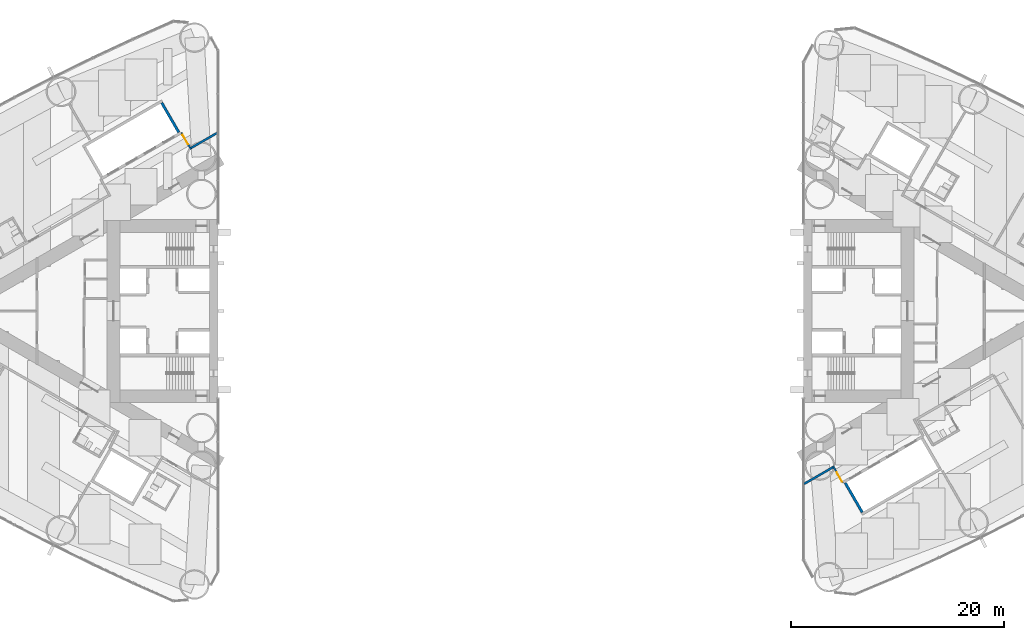
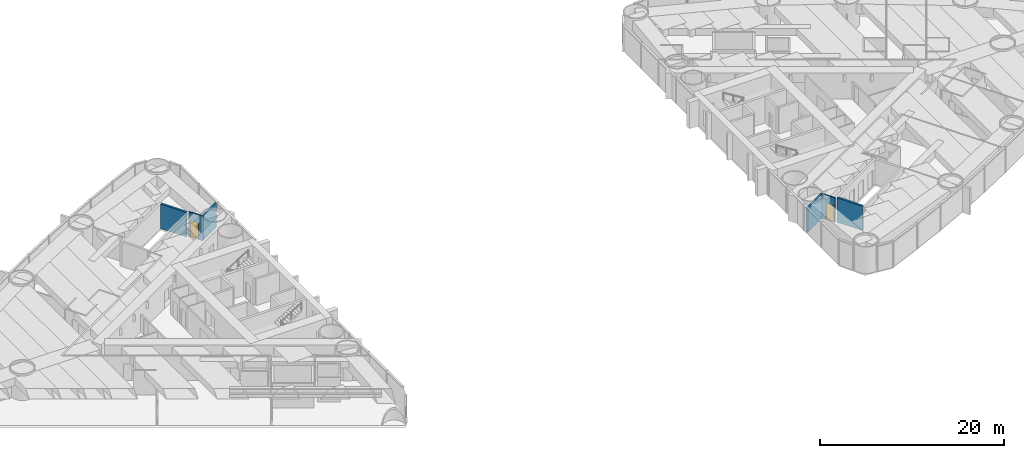
# One storey, part 13 of 19: 6 walls, 2 doors, 2 openings.
"""IFC4 building model written with IfcOpenShell, lengths in metres."""

from ifc_helpers import new_model, si_unit, direction, frame, frame_2d, origin, place, context, subcontext, project, spatial, rectangle, extrude, material, layer, layer_set, type_object, element, fill, save


model = new_model("IFC4")

# Units and contexts
model_context = context("Model", 3, precision=1e-05, world=origin(), true_north=direction((0.0, 1.0)))
body_context = subcontext(model_context, "Body", "Model", "MODEL_VIEW")
ifc_project = project(units=[si_unit("LENGTHUNIT", "METRE"), si_unit("AREAUNIT", "SQUARE_METRE"), si_unit("VOLUMEUNIT", "CUBIC_METRE"), si_unit("PLANEANGLEUNIT", "RADIAN"), si_unit("MASSUNIT", "GRAM", prefix="KILO")], contexts=[model_context])

# Site, building, storey
site_placement = place(None, origin())
site = spatial("IfcSite", under=ifc_project, at=site_placement, CompositionType="ELEMENT")
building_placement = place(site_placement, origin())
building = spatial("IfcBuilding", under=site, at=building_placement, Name="Lancet Gate Hotel", CompositionType="ELEMENT")
storey_placement = place(building_placement, frame((0.0, 0.0, 18.0)))
storey = spatial("IfcBuildingStorey", under=building, at=storey_placement, Name="L03", CompositionType="ELEMENT", Elevation=18.0)

# Walls
ifc_material_1 = material(Name="Gypsum board partition")
ifc_layer_1 = layer(ifc_material_1, 0.199951171875)
ifc_layer_set_1 = layer_set([ifc_layer_1], Name="Corridor wall 200")
wall_type_1 = type_object("IfcWallType", Name="Corridor wall 200", PredefinedType="PARTITIONING", material=ifc_layer_set_1)
wall_1_placement = place(storey_placement, frame((-27.572021484375, 16.740966796875, 0.0), z_axis=(0.0, 0.0, 1.0), x_axis=(-0.866034618596, -0.499984039138, 0.0)))
element("IfcWall", 1, at=wall_1_placement, inside=storey, type_object=wall_type_1, Name="T1 corridor wall 200 L03", PredefinedType="PARTITIONING", context=body_context, shape_type="SweptSolid", body=[
    extrude(rectangle(XDim=2.8544921875, YDim=0.199951171875, at=frame_2d((1.42724609375, 0.0))), origin(), (0.0, 0.0, 1.0), 3.25),
])
wall_2_placement = place(storey_placement, frame((27.572021484375, -16.240966796875, 0.0), z_axis=(0.0, 0.0, 1.0), x_axis=(0.866029654818, 0.499992636921, 0.0)))
element("IfcWall", 2, at=wall_2_placement, inside=storey, type_object=wall_type_1, Name="T2 corridor wall 200 L03", PredefinedType="PARTITIONING", context=body_context, shape_type="SweptSolid", body=[
    extrude(rectangle(XDim=3.15478515625, YDim=0.199951171875, at=frame_2d((1.577392578125, 0.0))), origin(), (0.0, 0.0, 1.0), 3.25),
])
ifc_material_2 = material(Name="Gypsum board partition")
ifc_layer_2 = layer(ifc_material_2, 0.25)
ifc_layer_set_2 = layer_set([ifc_layer_2], Name="Lift shaft partition 250")
wall_type_2 = type_object("IfcWallType", Name="Lift shaft partition 250", PredefinedType="PARTITIONING", material=ifc_layer_set_2)
for number, where, z_axis, x_axis, name in (
    (3, (-31.18115234375, 16.79296875, 0.0), (0.0, 0.0, 1.0), (-0.499929347863, 0.866066190972, 0.0), "T1 lift shaft wall LR L03"),
    (4, (31.441162109375, -16.14306640625, 0.0), (0.0, 0.0, 1.0), (0.499929347863, -0.866066190972, 0.0), "T2 lift shaft wall LR L03"),
):
    element("IfcWall", number, at=place(storey_placement, frame(where, z_axis=z_axis, x_axis=x_axis)), inside=storey, type_object=wall_type_2, Name=name, PredefinedType="PARTITIONING", context=body_context, shape_type="SweptSolid", body=[
        extrude(rectangle(XDim=3.20068359375, YDim=0.25, at=frame_2d((1.600341796875, 0.0))), origin(), (0.0, 0.0, 1.0), 3.25),
    ])

# Wall, opening, door
ifc_material_3 = material(Name="Gypsum board partition")
ifc_layer_3 = layer(ifc_material_3, 0.14990234375)
ifc_layer_set_3 = layer_set([ifc_layer_3], Name="Service room wall 150")
wall_type_3 = type_object("IfcWallType", Name="Service room wall 150", PredefinedType="PARTITIONING", material=ifc_layer_set_3)
wall_3_placement = place(storey_placement, frame((-30.033203125, 15.20458984375, 0.0), z_axis=(0.0, 0.0, 1.0), x_axis=(-0.499980071345, 0.866036909293, 0.0)))
wall_3 = element("IfcWall", 5, at=wall_3_placement, inside=storey, type_object=wall_type_3, Name="T1 service room wall 150 L03", PredefinedType="PARTITIONING", context=body_context, shape_type="SweptSolid", body=[
    extrude(rectangle(XDim=1.8046875, YDim=0.14990234375, at=frame_2d((0.90234375, 0.0))), origin(), (0.0, 0.0, 1.0), 3.25),
])
opening_1_placement = place(wall_3_placement, frame((0.552001953125, 0.0, 0.0)))
opening_1 = element("IfcOpeningElement", 6, at=opening_1_placement, cuts=wall_3, Name="Opening T1-L03-LO1", PredefinedType="OPENING", context=body_context, shape_type="SweptSolid", body=[
    extrude(rectangle(XDim=1.0, YDim=2.199951171875, at=frame_2d((0.5, 1.10009765625))), frame((0.0, 0.0849609375, 0.0), z_axis=(0.0, -1.0, 0.0), x_axis=(1.0, 0.0, 0.0)), (0.0, 0.0, 1.0), 0.169921875),
])
ifc_material_4 = material(Name="Timber door set", Category="wood")
door_type = type_object("IfcDoorType", Name="Service door 1000", OperationType="SINGLE_SWING_LEFT", PredefinedType="DOOR", material=ifc_material_4)
door_1_placement = place(opening_1_placement, origin())
door_1 = element("IfcDoor", 7, at=door_1_placement, inside=storey, type_object=door_type, Name="T1-L03-LO1", OperationType="SINGLE_SWING_LEFT", OverallHeight=2.199951171875, OverallWidth=1.0, PredefinedType="DOOR", context=body_context, shape_type="SweptSolid", body=[
    extrude(rectangle(XDim=1.0, YDim=2.199951171875, at=frame_2d((0.5, 1.10009765625))), frame((0.0, 0.02490234375, 0.0), z_axis=(0.0, -1.0, 0.0), x_axis=(1.0, 0.0, 0.0)), (0.0, 0.0, 1.0), 0.050048828125),
])
fill(opening_1, door_1)

wall_4_placement = place(storey_placement, frame((30.293212890625, -14.554443359375, 0.0), z_axis=(0.0, 0.0, 1.0), x_axis=(0.499980071345, -0.866036909293, 0.0)))
wall_4 = element("IfcWall", 8, at=wall_4_placement, inside=storey, type_object=wall_type_3, Name="T2 service room wall 150 L03", PredefinedType="PARTITIONING", context=body_context, shape_type="SweptSolid", body=[
    extrude(rectangle(XDim=1.8046875, YDim=0.14990234375, at=frame_2d((0.90234375, 0.0))), origin(), (0.0, 0.0, 1.0), 3.25),
])
opening_2_placement = place(wall_4_placement, frame((0.701904296875, 0.0, 0.0)))
opening_2 = element("IfcOpeningElement", 9, at=opening_2_placement, cuts=wall_4, Name="Opening T2-L03-LO1", PredefinedType="OPENING", context=body_context, shape_type="SweptSolid", body=[
    extrude(rectangle(XDim=1.0, YDim=2.199951171875, at=frame_2d((0.5, 1.10009765625))), frame((0.0, 0.0849609375, 0.0), z_axis=(0.0, -1.0, 0.0), x_axis=(1.0, 0.0, 0.0)), (0.0, 0.0, 1.0), 0.169921875),
])
door_2_placement = place(opening_2_placement, origin())
door_2 = element("IfcDoor", 10, at=door_2_placement, inside=storey, type_object=door_type, Name="T2-L03-LO1", OperationType="SINGLE_SWING_LEFT", OverallHeight=2.199951171875, OverallWidth=1.0, PredefinedType="DOOR", context=body_context, shape_type="SweptSolid", body=[
    extrude(rectangle(XDim=1.0, YDim=2.199951171875, at=frame_2d((0.5, 1.10009765625))), frame((0.0, 0.02490234375, 0.0), z_axis=(0.0, -1.0, 0.0), x_axis=(1.0, 0.0, 0.0)), (0.0, 0.0, 1.0), 0.050048828125),
])
fill(opening_2, door_2)

save(model, "model.ifc")
